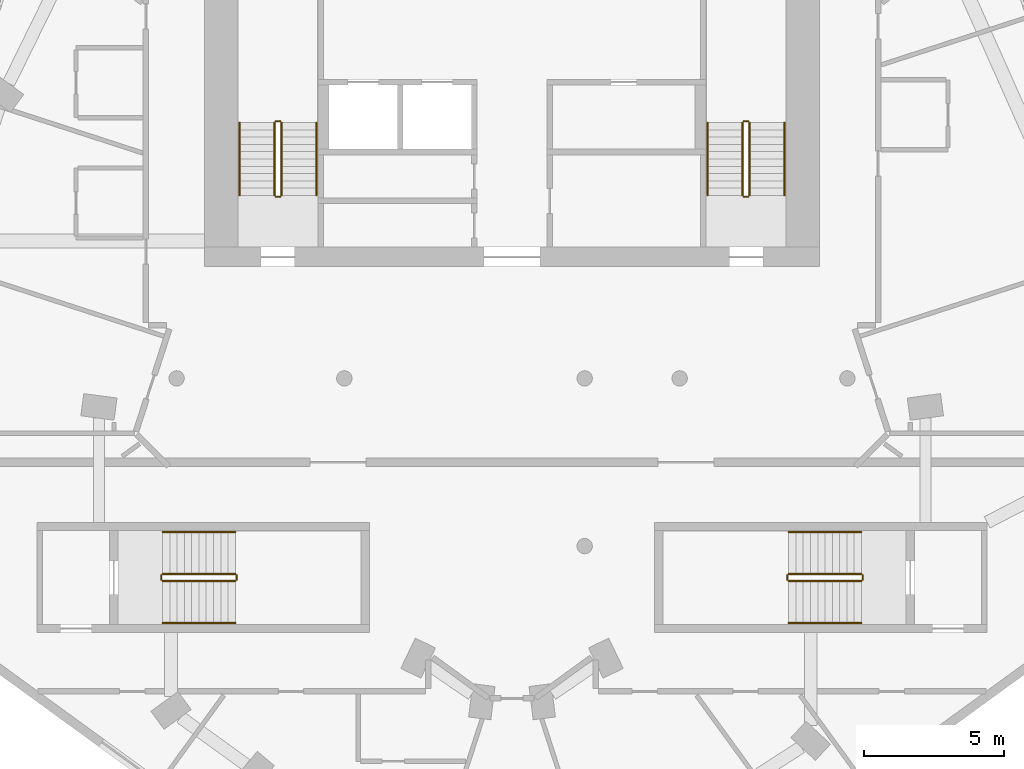
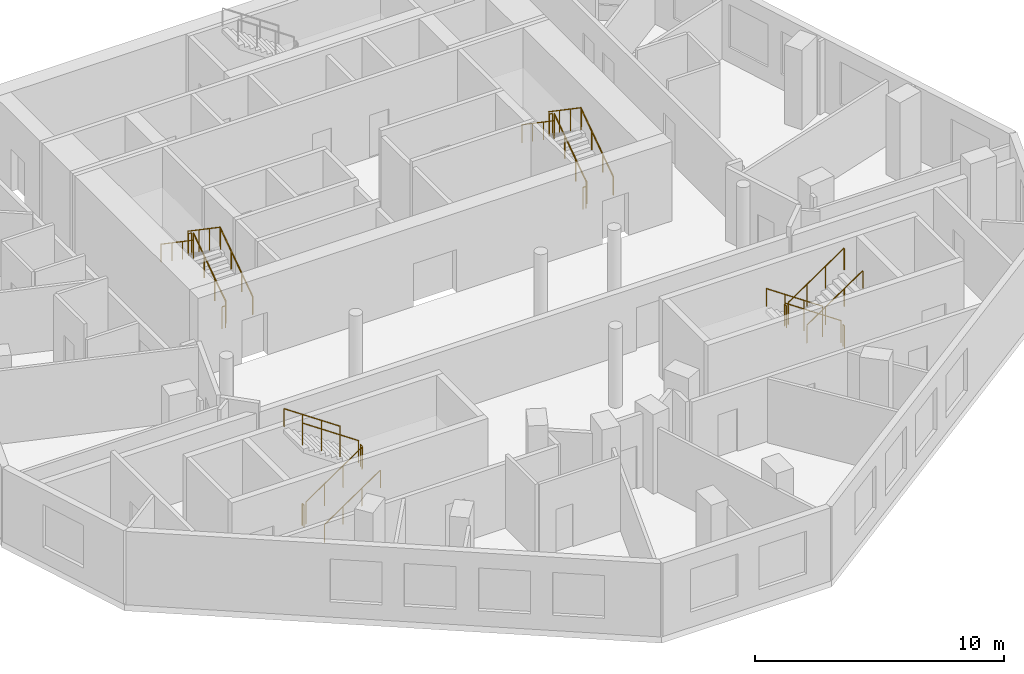
# One storey, part 7 of 8: 24 railings.
"""IFC4 building model written with IfcOpenShell, lengths in metres."""

from ifc_helpers import new_model, si_unit, direction, frame, origin, origin_2d, place, context, subcontext, project, spatial, circle, extrude, material, type_object, element, save


model = new_model("IFC4")

# Units and contexts
model_context = context("Model", 3, precision=1e-05, world=origin(), true_north=direction((0.0, 1.0)))
body_context = subcontext(model_context, "Body", "Model", "MODEL_VIEW")
ifc_project = project(units=[si_unit("LENGTHUNIT", "METRE"), si_unit("AREAUNIT", "SQUARE_METRE"), si_unit("VOLUMEUNIT", "CUBIC_METRE"), si_unit("PLANEANGLEUNIT", "RADIAN"), si_unit("MASSUNIT", "GRAM", prefix="KILO")], contexts=[model_context])

# Site, building, storey
site_placement = place(None, origin())
site = spatial("IfcSite", under=ifc_project, at=site_placement, CompositionType="ELEMENT")
building_placement = place(site_placement, origin())
building = spatial("IfcBuilding", under=site, at=building_placement, Name="White Candle Pilgrim Tower", CompositionType="ELEMENT")
storey_placement = place(building_placement, frame((0.0, 0.0, 263.89990234375)))
storey = spatial("IfcBuildingStorey", under=building, at=storey_placement, Name="L62", CompositionType="ELEMENT", Elevation=263.89990234375)

# Railings
ifc_material = material(Name="Stainless steel", Category="steel")
railing_type_1 = type_object("IfcRailingType", Name="Stair guard stainless steel 1100 mm", PredefinedType="GUARDRAIL", material=ifc_material)
railing_1_placement = place(storey_placement, frame((61.75, 73.550048828125, 0.177490234375)))
element("IfcRailing", 1, at=railing_1_placement, inside=storey, type_object=railing_type_1, Name="L62 ST1 stair guard 1", PredefinedType="GUARDRAIL", context=body_context, shape_type="SweptSolid", body=[
    extrude(circle(Radius=0.02392578125, at=origin_2d()), frame((0.0, 0.0, 1.076171875), z_axis=(0.0, 0.826215852431, 0.563353676824), x_axis=(-1.0, 0.0, 0.0)), (0.0, 0.0, 1.0), 3.146728515625),
    extrude(circle(Radius=0.02099609375, at=origin_2d()), origin(), (0.0, 0.0, 1.0), 1.052001953125),
    extrude(circle(Radius=0.02099609375, at=origin_2d()), frame((0.0, 0.86669921875, 0.5908203125)), (0.0, 0.0, 1.0), 1.052001953125),
    extrude(circle(Radius=0.02099609375, at=origin_2d()), frame((0.0, 1.733154296875, 1.181884765625)), (0.0, 0.0, 1.0), 1.052001953125),
    extrude(circle(Radius=0.02099609375, at=origin_2d()), frame((0.0, 2.599853515625, 1.772705078125)), (0.0, 0.0, 1.0), 1.052001953125),
])
railing_2_placement = place(storey_placement, frame((61.699951171875, 76.199951171875, 1.9501953125)))
element("IfcRailing", 2, at=railing_2_placement, inside=storey, type_object=railing_type_1, Name="L62 ST1 stair guard 2", PredefinedType="GUARDRAIL", context=body_context, shape_type="SweptSolid", body=[
    extrude(circle(Radius=0.02392578125, at=origin_2d()), frame((0.0, 0.0, 1.076171875), z_axis=(-1.0, 0.0, 0.0), x_axis=(0.0, -1.0, 0.0)), (0.0, 0.0, 1.0), 0.14990234375),
    extrude(circle(Radius=0.02099609375, at=origin_2d()), origin(), (0.0, 0.0, 1.0), 1.052001953125),
    extrude(circle(Radius=0.02099609375, at=origin_2d()), frame((-0.14990234375, 0.0, 0.0)), (0.0, 0.0, 1.0), 1.052001953125),
])
railing_3_placement = place(storey_placement, frame((61.5, 76.14990234375, 2.12744140625)))
element("IfcRailing", 3, at=railing_3_placement, inside=storey, type_object=railing_type_1, Name="L62 ST1 stair guard 3", PredefinedType="GUARDRAIL", context=body_context, shape_type="SweptSolid", body=[
    extrude(circle(Radius=0.02392578125, at=origin_2d()), frame((0.0, 0.0, 1.076171875), z_axis=(0.0, -0.826215852431, 0.563353676824), x_axis=(1.0, 0.0, 0.0)), (0.0, 0.0, 1.0), 3.146728515625),
    extrude(circle(Radius=0.02099609375, at=origin_2d()), origin(), (0.0, 0.0, 1.0), 1.052001953125),
    extrude(circle(Radius=0.02099609375, at=origin_2d()), frame((0.0, -0.86669921875, 0.5908203125)), (0.0, 0.0, 1.0), 1.052001953125),
    extrude(circle(Radius=0.02099609375, at=origin_2d()), frame((0.0, -1.733154296875, 1.181884765625)), (0.0, 0.0, 1.0), 1.052001953125),
    extrude(circle(Radius=0.02099609375, at=origin_2d()), frame((0.0, -2.599853515625, 1.772705078125)), (0.0, 0.0, 1.0), 1.052001953125),
])
railing_4_placement = place(storey_placement, frame((61.699951171875, 73.5, 0.0)))
element("IfcRailing", 4, at=railing_4_placement, inside=storey, type_object=railing_type_1, Name="L62 ST1 stair guard 4", PredefinedType="GUARDRAIL", context=body_context, shape_type="SweptSolid", body=[
    extrude(circle(Radius=0.02392578125, at=origin_2d()), frame((0.0, 0.0, 1.076171875), z_axis=(-1.0, 0.0, 0.0), x_axis=(0.0, -1.0, 0.0)), (0.0, 0.0, 1.0), 0.14990234375),
    extrude(circle(Radius=0.02099609375, at=origin_2d()), origin(), (0.0, 0.0, 1.0), 1.052001953125),
    extrude(circle(Radius=0.02099609375, at=origin_2d()), frame((-0.14990234375, 0.0, 0.0)), (0.0, 0.0, 1.0), 1.052001953125),
])
railing_5_placement = place(storey_placement, frame((78.5, 73.550048828125, 0.177490234375)))
element("IfcRailing", 5, at=railing_5_placement, inside=storey, type_object=railing_type_1, Name="L62 ST2 stair guard 1", PredefinedType="GUARDRAIL", context=body_context, shape_type="SweptSolid", body=[
    extrude(circle(Radius=0.02392578125, at=origin_2d()), frame((0.0, 0.0, 1.076171875), z_axis=(0.0, 0.826215852431, 0.563353676824), x_axis=(-1.0, 0.0, 0.0)), (0.0, 0.0, 1.0), 3.146728515625),
    extrude(circle(Radius=0.02099609375, at=origin_2d()), origin(), (0.0, 0.0, 1.0), 1.052001953125),
    extrude(circle(Radius=0.02099609375, at=origin_2d()), frame((0.0, 0.86669921875, 0.5908203125)), (0.0, 0.0, 1.0), 1.052001953125),
    extrude(circle(Radius=0.02099609375, at=origin_2d()), frame((0.0, 1.733154296875, 1.181884765625)), (0.0, 0.0, 1.0), 1.052001953125),
    extrude(circle(Radius=0.02099609375, at=origin_2d()), frame((0.0, 2.599853515625, 1.772705078125)), (0.0, 0.0, 1.0), 1.052001953125),
])
railing_6_placement = place(storey_placement, frame((78.449951171875, 76.199951171875, 1.9501953125)))
element("IfcRailing", 6, at=railing_6_placement, inside=storey, type_object=railing_type_1, Name="L62 ST2 stair guard 2", PredefinedType="GUARDRAIL", context=body_context, shape_type="SweptSolid", body=[
    extrude(circle(Radius=0.02392578125, at=origin_2d()), frame((0.0, 0.0, 1.076171875), z_axis=(-1.0, 0.0, 0.0), x_axis=(0.0, -1.0, 0.0)), (0.0, 0.0, 1.0), 0.14990234375),
    extrude(circle(Radius=0.02099609375, at=origin_2d()), origin(), (0.0, 0.0, 1.0), 1.052001953125),
    extrude(circle(Radius=0.02099609375, at=origin_2d()), frame((-0.14990234375, 0.0, 0.0)), (0.0, 0.0, 1.0), 1.052001953125),
])
railing_7_placement = place(storey_placement, frame((78.25, 76.14990234375, 2.12744140625)))
element("IfcRailing", 7, at=railing_7_placement, inside=storey, type_object=railing_type_1, Name="L62 ST2 stair guard 3", PredefinedType="GUARDRAIL", context=body_context, shape_type="SweptSolid", body=[
    extrude(circle(Radius=0.02392578125, at=origin_2d()), frame((0.0, 0.0, 1.076171875), z_axis=(0.0, -0.826215852431, 0.563353676824), x_axis=(1.0, 0.0, 0.0)), (0.0, 0.0, 1.0), 3.146728515625),
    extrude(circle(Radius=0.02099609375, at=origin_2d()), origin(), (0.0, 0.0, 1.0), 1.052001953125),
    extrude(circle(Radius=0.02099609375, at=origin_2d()), frame((0.0, -0.86669921875, 0.5908203125)), (0.0, 0.0, 1.0), 1.052001953125),
    extrude(circle(Radius=0.02099609375, at=origin_2d()), frame((0.0, -1.733154296875, 1.181884765625)), (0.0, 0.0, 1.0), 1.052001953125),
    extrude(circle(Radius=0.02099609375, at=origin_2d()), frame((0.0, -2.599853515625, 1.772705078125)), (0.0, 0.0, 1.0), 1.052001953125),
])
railing_8_placement = place(storey_placement, frame((78.449951171875, 73.5, 0.0)))
element("IfcRailing", 8, at=railing_8_placement, inside=storey, type_object=railing_type_1, Name="L62 ST2 stair guard 4", PredefinedType="GUARDRAIL", context=body_context, shape_type="SweptSolid", body=[
    extrude(circle(Radius=0.02392578125, at=origin_2d()), frame((0.0, 0.0, 1.076171875), z_axis=(-1.0, 0.0, 0.0), x_axis=(0.0, -1.0, 0.0)), (0.0, 0.0, 1.0), 0.14990234375),
    extrude(circle(Radius=0.02099609375, at=origin_2d()), origin(), (0.0, 0.0, 1.0), 1.052001953125),
    extrude(circle(Radius=0.02099609375, at=origin_2d()), frame((-0.14990234375, 0.0, 0.0)), (0.0, 0.0, 1.0), 1.052001953125),
])
railing_9_placement = place(storey_placement, frame((82.5, 60.0, 0.177490234375)))
element("IfcRailing", 9, at=railing_9_placement, inside=storey, type_object=railing_type_1, Name="L62 ST4 stair guard 1", PredefinedType="GUARDRAIL", context=body_context, shape_type="SweptSolid", body=[
    extrude(circle(Radius=0.02392578125, at=origin_2d()), frame((0.0, 0.0, 1.076171875), z_axis=(-0.826240473404, 0.0, 0.563317565952), x_axis=(0.0, -1.0, 0.0)), (0.0, 0.0, 1.0), 3.14697265625),
    extrude(circle(Radius=0.02099609375, at=origin_2d()), origin(), (0.0, 0.0, 1.0), 1.052001953125),
    extrude(circle(Radius=0.02099609375, at=origin_2d()), frame((-0.86669921875, 0.0, 0.5908203125)), (0.0, 0.0, 1.0), 1.052001953125),
    extrude(circle(Radius=0.02099609375, at=origin_2d()), frame((-1.7333984375, 0.0, 1.181884765625)), (0.0, 0.0, 1.0), 1.052001953125),
    extrude(circle(Radius=0.02099609375, at=origin_2d()), frame((-2.60009765625, 0.0, 1.772705078125)), (0.0, 0.0, 1.0), 1.052001953125),
])
railing_10_placement = place(storey_placement, frame((79.85009765625, 59.949951171875, 1.9501953125)))
element("IfcRailing", 10, at=railing_10_placement, inside=storey, type_object=railing_type_1, Name="L62 ST4 stair guard 2", PredefinedType="GUARDRAIL", context=body_context, shape_type="SweptSolid", body=[
    extrude(circle(Radius=0.02392578125, at=origin_2d()), frame((0.0, 0.0, 1.076171875), z_axis=(0.0, -1.0, 0.0), x_axis=(1.0, 0.0, 0.0)), (0.0, 0.0, 1.0), 0.14990234375),
    extrude(circle(Radius=0.02099609375, at=origin_2d()), origin(), (0.0, 0.0, 1.0), 1.052001953125),
    extrude(circle(Radius=0.02099609375, at=origin_2d()), frame((0.0, -0.14990234375, 0.0)), (0.0, 0.0, 1.0), 1.052001953125),
])
railing_11_placement = place(storey_placement, frame((79.89990234375, 59.75, 2.12744140625)))
element("IfcRailing", 11, at=railing_11_placement, inside=storey, type_object=railing_type_1, Name="L62 ST4 stair guard 3", PredefinedType="GUARDRAIL", context=body_context, shape_type="SweptSolid", body=[
    extrude(circle(Radius=0.02392578125, at=origin_2d()), frame((0.0, 0.0, 1.076171875), z_axis=(0.826240473404, 0.0, 0.563317565952), x_axis=(0.0, 1.0, 0.0)), (0.0, 0.0, 1.0), 3.14697265625),
    extrude(circle(Radius=0.02099609375, at=origin_2d()), origin(), (0.0, 0.0, 1.0), 1.052001953125),
    extrude(circle(Radius=0.02099609375, at=origin_2d()), frame((0.86669921875, 0.0, 0.5908203125)), (0.0, 0.0, 1.0), 1.052001953125),
    extrude(circle(Radius=0.02099609375, at=origin_2d()), frame((1.7333984375, 0.0, 1.181884765625)), (0.0, 0.0, 1.0), 1.052001953125),
    extrude(circle(Radius=0.02099609375, at=origin_2d()), frame((2.60009765625, 0.0, 1.772705078125)), (0.0, 0.0, 1.0), 1.052001953125),
])
railing_12_placement = place(storey_placement, frame((82.550048828125, 59.949951171875, 0.0)))
element("IfcRailing", 12, at=railing_12_placement, inside=storey, type_object=railing_type_1, Name="L62 ST4 stair guard 4", PredefinedType="GUARDRAIL", context=body_context, shape_type="SweptSolid", body=[
    extrude(circle(Radius=0.02392578125, at=origin_2d()), frame((0.0, 0.0, 1.076171875), z_axis=(0.0, -1.0, 0.0), x_axis=(1.0, 0.0, 0.0)), (0.0, 0.0, 1.0), 0.14990234375),
    extrude(circle(Radius=0.02099609375, at=origin_2d()), origin(), (0.0, 0.0, 1.0), 1.052001953125),
    extrude(circle(Radius=0.02099609375, at=origin_2d()), frame((0.0, -0.14990234375, 0.0)), (0.0, 0.0, 1.0), 1.052001953125),
])
railing_13_placement = place(storey_placement, frame((57.5, 59.75, 0.177490234375)))
element("IfcRailing", 13, at=railing_13_placement, inside=storey, type_object=railing_type_1, Name="L62 ST5 stair guard 1", PredefinedType="GUARDRAIL", context=body_context, shape_type="SweptSolid", body=[
    extrude(circle(Radius=0.02392578125, at=origin_2d()), frame((0.0, 0.0, 1.076171875), z_axis=(0.826240473404, 0.0, 0.563317565952), x_axis=(0.0, 1.0, 0.0)), (0.0, 0.0, 1.0), 3.14697265625),
    extrude(circle(Radius=0.02099609375, at=origin_2d()), origin(), (0.0, 0.0, 1.0), 1.052001953125),
    extrude(circle(Radius=0.02099609375, at=origin_2d()), frame((0.86669921875, 0.0, 0.5908203125)), (0.0, 0.0, 1.0), 1.052001953125),
    extrude(circle(Radius=0.02099609375, at=origin_2d()), frame((1.7333984375, 0.0, 1.181884765625)), (0.0, 0.0, 1.0), 1.052001953125),
    extrude(circle(Radius=0.02099609375, at=origin_2d()), frame((2.60009765625, 0.0, 1.772705078125)), (0.0, 0.0, 1.0), 1.052001953125),
])
railing_14_placement = place(storey_placement, frame((60.14990234375, 59.800048828125, 1.9501953125)))
element("IfcRailing", 14, at=railing_14_placement, inside=storey, type_object=railing_type_1, Name="L62 ST5 stair guard 2", PredefinedType="GUARDRAIL", context=body_context, shape_type="SweptSolid", body=[
    extrude(circle(Radius=0.02392578125, at=origin_2d()), frame((0.0, 0.0, 1.076171875), z_axis=(0.0, 1.0, 0.0), x_axis=(-1.0, 0.0, 0.0)), (0.0, 0.0, 1.0), 0.14990234375),
    extrude(circle(Radius=0.02099609375, at=origin_2d()), origin(), (0.0, 0.0, 1.0), 1.052001953125),
    extrude(circle(Radius=0.02099609375, at=origin_2d()), frame((0.0, 0.14990234375, 0.0)), (0.0, 0.0, 1.0), 1.052001953125),
])
railing_15_placement = place(storey_placement, frame((60.10009765625, 60.0, 2.12744140625)))
element("IfcRailing", 15, at=railing_15_placement, inside=storey, type_object=railing_type_1, Name="L62 ST5 stair guard 3", PredefinedType="GUARDRAIL", context=body_context, shape_type="SweptSolid", body=[
    extrude(circle(Radius=0.02392578125, at=origin_2d()), frame((0.0, 0.0, 1.076171875), z_axis=(-0.826240473404, 0.0, 0.563317565952), x_axis=(0.0, -1.0, 0.0)), (0.0, 0.0, 1.0), 3.14697265625),
    extrude(circle(Radius=0.02099609375, at=origin_2d()), origin(), (0.0, 0.0, 1.0), 1.052001953125),
    extrude(circle(Radius=0.02099609375, at=origin_2d()), frame((-0.86669921875, 0.0, 0.5908203125)), (0.0, 0.0, 1.0), 1.052001953125),
    extrude(circle(Radius=0.02099609375, at=origin_2d()), frame((-1.7333984375, 0.0, 1.181884765625)), (0.0, 0.0, 1.0), 1.052001953125),
    extrude(circle(Radius=0.02099609375, at=origin_2d()), frame((-2.60009765625, 0.0, 1.772705078125)), (0.0, 0.0, 1.0), 1.052001953125),
])
railing_16_placement = place(storey_placement, frame((57.449951171875, 59.800048828125, 0.0)))
element("IfcRailing", 16, at=railing_16_placement, inside=storey, type_object=railing_type_1, Name="L62 ST5 stair guard 4", PredefinedType="GUARDRAIL", context=body_context, shape_type="SweptSolid", body=[
    extrude(circle(Radius=0.02392578125, at=origin_2d()), frame((0.0, 0.0, 1.076171875), z_axis=(0.0, 1.0, 0.0), x_axis=(-1.0, 0.0, 0.0)), (0.0, 0.0, 1.0), 0.14990234375),
    extrude(circle(Radius=0.02099609375, at=origin_2d()), origin(), (0.0, 0.0, 1.0), 1.052001953125),
    extrude(circle(Radius=0.02099609375, at=origin_2d()), frame((0.0, 0.14990234375, 0.0)), (0.0, 0.0, 1.0), 1.052001953125),
])
railing_type_2 = type_object("IfcRailingType", Name="Stair handrail stainless steel", PredefinedType="HANDRAIL", material=ifc_material)
railing_17_placement = place(storey_placement, frame((63.0, 73.550048828125, 0.177490234375)))
element("IfcRailing", 17, at=railing_17_placement, inside=storey, type_object=railing_type_2, Name="L62 ST1 stair handrail 1", PredefinedType="HANDRAIL", context=body_context, shape_type="SweptSolid", body=[
    extrude(circle(Radius=0.02392578125, at=origin_2d()), frame((0.0, 0.0, 0.8759765625), z_axis=(0.0, 0.826215852431, 0.563353676824), x_axis=(-1.0, 0.0, 0.0)), (0.0, 0.0, 1.0), 3.146728515625),
    extrude(circle(Radius=0.02099609375, at=origin_2d()), origin(), (0.0, 0.0, 1.0), 0.851806640625),
    extrude(circle(Radius=0.02099609375, at=origin_2d()), frame((0.0, 0.86669921875, 0.5908203125)), (0.0, 0.0, 1.0), 0.851806640625),
    extrude(circle(Radius=0.02099609375, at=origin_2d()), frame((0.0, 1.733154296875, 1.181884765625)), (0.0, 0.0, 1.0), 0.851806640625),
    extrude(circle(Radius=0.02099609375, at=origin_2d()), frame((0.0, 2.599853515625, 1.772705078125)), (0.0, 0.0, 1.0), 0.851806640625),
])
railing_18_placement = place(storey_placement, frame((60.25, 76.14990234375, 2.12744140625)))
element("IfcRailing", 18, at=railing_18_placement, inside=storey, type_object=railing_type_2, Name="L62 ST1 stair handrail 2", PredefinedType="HANDRAIL", context=body_context, shape_type="SweptSolid", body=[
    extrude(circle(Radius=0.02392578125, at=origin_2d()), frame((0.0, 0.0, 0.8759765625), z_axis=(0.0, -0.826215852431, 0.563353676824), x_axis=(1.0, 0.0, 0.0)), (0.0, 0.0, 1.0), 3.146728515625),
    extrude(circle(Radius=0.02099609375, at=origin_2d()), origin(), (0.0, 0.0, 1.0), 0.851806640625),
    extrude(circle(Radius=0.02099609375, at=origin_2d()), frame((0.0, -0.86669921875, 0.5908203125)), (0.0, 0.0, 1.0), 0.851806640625),
    extrude(circle(Radius=0.02099609375, at=origin_2d()), frame((0.0, -1.733154296875, 1.181884765625)), (0.0, 0.0, 1.0), 0.851806640625),
    extrude(circle(Radius=0.02099609375, at=origin_2d()), frame((0.0, -2.599853515625, 1.772705078125)), (0.0, 0.0, 1.0), 0.851806640625),
])
railing_19_placement = place(storey_placement, frame((79.75, 73.550048828125, 0.177490234375)))
element("IfcRailing", 19, at=railing_19_placement, inside=storey, type_object=railing_type_2, Name="L62 ST2 stair handrail 1", PredefinedType="HANDRAIL", context=body_context, shape_type="SweptSolid", body=[
    extrude(circle(Radius=0.02392578125, at=origin_2d()), frame((0.0, 0.0, 0.8759765625), z_axis=(0.0, 0.826215852431, 0.563353676824), x_axis=(-1.0, 0.0, 0.0)), (0.0, 0.0, 1.0), 3.146728515625),
    extrude(circle(Radius=0.02099609375, at=origin_2d()), origin(), (0.0, 0.0, 1.0), 0.851806640625),
    extrude(circle(Radius=0.02099609375, at=origin_2d()), frame((0.0, 0.86669921875, 0.5908203125)), (0.0, 0.0, 1.0), 0.851806640625),
    extrude(circle(Radius=0.02099609375, at=origin_2d()), frame((0.0, 1.733154296875, 1.181884765625)), (0.0, 0.0, 1.0), 0.851806640625),
    extrude(circle(Radius=0.02099609375, at=origin_2d()), frame((0.0, 2.599853515625, 1.772705078125)), (0.0, 0.0, 1.0), 0.851806640625),
])
railing_20_placement = place(storey_placement, frame((77.0, 76.14990234375, 2.12744140625)))
element("IfcRailing", 20, at=railing_20_placement, inside=storey, type_object=railing_type_2, Name="L62 ST2 stair handrail 2", PredefinedType="HANDRAIL", context=body_context, shape_type="SweptSolid", body=[
    extrude(circle(Radius=0.02392578125, at=origin_2d()), frame((0.0, 0.0, 0.8759765625), z_axis=(0.0, -0.826215852431, 0.563353676824), x_axis=(1.0, 0.0, 0.0)), (0.0, 0.0, 1.0), 3.146728515625),
    extrude(circle(Radius=0.02099609375, at=origin_2d()), origin(), (0.0, 0.0, 1.0), 0.851806640625),
    extrude(circle(Radius=0.02099609375, at=origin_2d()), frame((0.0, -0.86669921875, 0.5908203125)), (0.0, 0.0, 1.0), 0.851806640625),
    extrude(circle(Radius=0.02099609375, at=origin_2d()), frame((0.0, -1.733154296875, 1.181884765625)), (0.0, 0.0, 1.0), 0.851806640625),
    extrude(circle(Radius=0.02099609375, at=origin_2d()), frame((0.0, -2.599853515625, 1.772705078125)), (0.0, 0.0, 1.0), 0.851806640625),
])
railing_21_placement = place(storey_placement, frame((82.5, 61.5, 0.177490234375)))
element("IfcRailing", 21, at=railing_21_placement, inside=storey, type_object=railing_type_2, Name="L62 ST4 stair handrail 1", PredefinedType="HANDRAIL", context=body_context, shape_type="SweptSolid", body=[
    extrude(circle(Radius=0.02392578125, at=origin_2d()), frame((0.0, 0.0, 0.8759765625), z_axis=(-0.826240473404, 0.0, 0.563317565952), x_axis=(0.0, -1.0, 0.0)), (0.0, 0.0, 1.0), 3.14697265625),
    extrude(circle(Radius=0.02099609375, at=origin_2d()), origin(), (0.0, 0.0, 1.0), 0.851806640625),
    extrude(circle(Radius=0.02099609375, at=origin_2d()), frame((-0.86669921875, 0.0, 0.5908203125)), (0.0, 0.0, 1.0), 0.851806640625),
    extrude(circle(Radius=0.02099609375, at=origin_2d()), frame((-1.7333984375, 0.0, 1.181884765625)), (0.0, 0.0, 1.0), 0.851806640625),
    extrude(circle(Radius=0.02099609375, at=origin_2d()), frame((-2.60009765625, 0.0, 1.772705078125)), (0.0, 0.0, 1.0), 0.851806640625),
])
for number, where, name in (
    (22, (79.89990234375, 58.25, 2.12744140625), "L62 ST4 stair handrail 2"),
    (23, (57.5, 58.25, 0.177490234375), "L62 ST5 stair handrail 1"),
):
    element("IfcRailing", number, at=place(storey_placement, frame(where)), inside=storey, type_object=railing_type_2, Name=name, PredefinedType="HANDRAIL", context=body_context, shape_type="SweptSolid", body=[
        extrude(circle(Radius=0.02392578125, at=origin_2d()), frame((0.0, 0.0, 0.8759765625), z_axis=(0.826240473404, 0.0, 0.563317565952), x_axis=(0.0, 1.0, 0.0)), (0.0, 0.0, 1.0), 3.14697265625),
        extrude(circle(Radius=0.02099609375, at=origin_2d()), origin(), (0.0, 0.0, 1.0), 0.851806640625),
        extrude(circle(Radius=0.02099609375, at=origin_2d()), frame((0.86669921875, 0.0, 0.5908203125)), (0.0, 0.0, 1.0), 0.851806640625),
        extrude(circle(Radius=0.02099609375, at=origin_2d()), frame((1.7333984375, 0.0, 1.181884765625)), (0.0, 0.0, 1.0), 0.851806640625),
        extrude(circle(Radius=0.02099609375, at=origin_2d()), frame((2.60009765625, 0.0, 1.772705078125)), (0.0, 0.0, 1.0), 0.851806640625),
    ])
railing_22_placement = place(storey_placement, frame((60.10009765625, 61.5, 2.12744140625)))
element("IfcRailing", 24, at=railing_22_placement, inside=storey, type_object=railing_type_2, Name="L62 ST5 stair handrail 2", PredefinedType="HANDRAIL", context=body_context, shape_type="SweptSolid", body=[
    extrude(circle(Radius=0.02392578125, at=origin_2d()), frame((0.0, 0.0, 0.8759765625), z_axis=(-0.826240473404, 0.0, 0.563317565952), x_axis=(0.0, -1.0, 0.0)), (0.0, 0.0, 1.0), 3.14697265625),
    extrude(circle(Radius=0.02099609375, at=origin_2d()), origin(), (0.0, 0.0, 1.0), 0.851806640625),
    extrude(circle(Radius=0.02099609375, at=origin_2d()), frame((-0.86669921875, 0.0, 0.5908203125)), (0.0, 0.0, 1.0), 0.851806640625),
    extrude(circle(Radius=0.02099609375, at=origin_2d()), frame((-1.7333984375, 0.0, 1.181884765625)), (0.0, 0.0, 1.0), 0.851806640625),
    extrude(circle(Radius=0.02099609375, at=origin_2d()), frame((-2.60009765625, 0.0, 1.772705078125)), (0.0, 0.0, 1.0), 0.851806640625),
])

save(model, "model.ifc")
